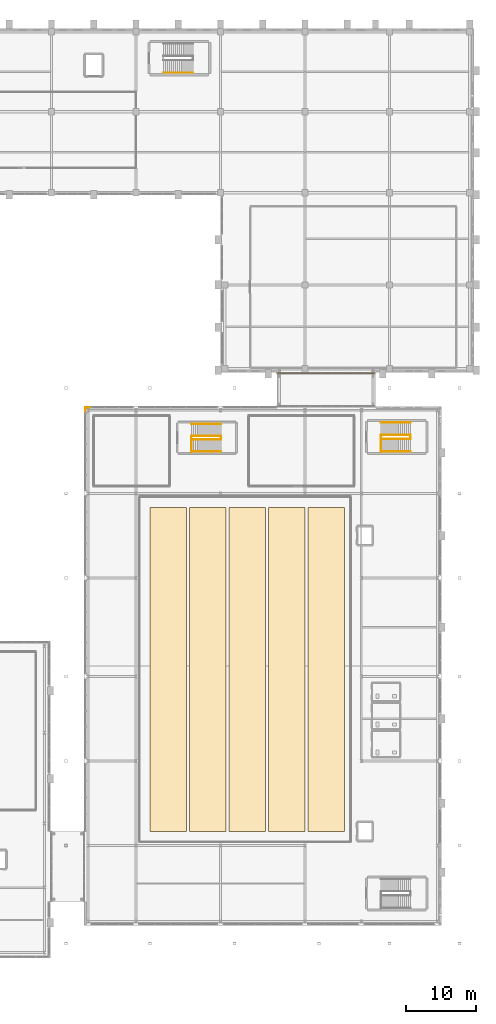
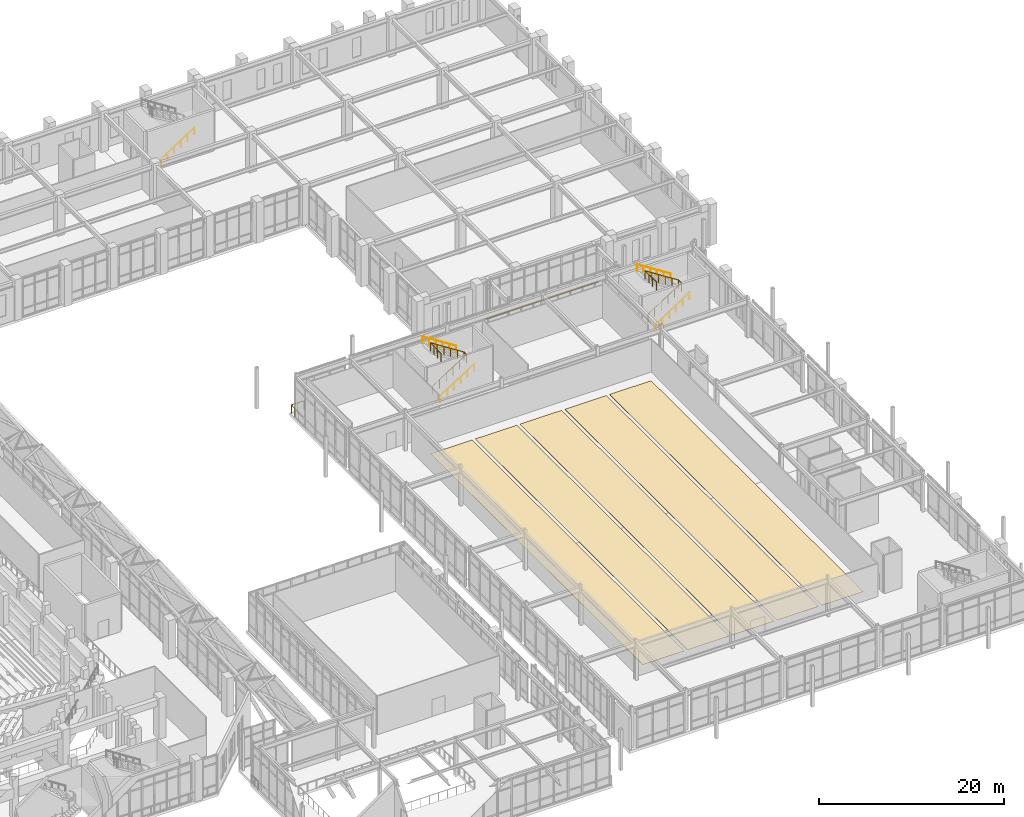
# One storey, part 156 of 159: 10 railings, 6 coverings.
"""IFC4 building model written with IfcOpenShell, lengths in metres."""

from ifc_helpers import new_model, si_unit, derived_unit, direction, frame, origin, origin_2d, place, context, subcontext, project, spatial, polyline, circle, outline, extrude, material, layer, layer_set, type_object, element, save


model = new_model("IFC4")

# Units and contexts
model_context = context("Model", 3, precision=1e-05, world=origin(), true_north=direction((0.0, 1.0)))
body_context = subcontext(model_context, "Body", "Model", "MODEL_VIEW")
ifc_project = project(units=[si_unit("LENGTHUNIT", "METRE"), si_unit("AREAUNIT", "SQUARE_METRE"), si_unit("VOLUMEUNIT", "CUBIC_METRE"), si_unit("PLANEANGLEUNIT", "RADIAN"), si_unit("MASSUNIT", "GRAM", prefix="KILO"), derived_unit("THERMALTRANSMITTANCEUNIT", [(si_unit("MASSUNIT", "GRAM", prefix="KILO"), 1), (si_unit("TIMEUNIT", "SECOND"), -3), (si_unit("THERMODYNAMICTEMPERATUREUNIT", "KELVIN"), -1)])], contexts=[model_context])

# Site, building, storey
site_placement = place(None, origin())
site = spatial("IfcSite", under=ifc_project, at=site_placement, CompositionType="ELEMENT")
building_placement = place(site_placement, origin())
building = spatial("IfcBuilding", under=site, at=building_placement, Name="Valcora Ridge Arena", CompositionType="ELEMENT")
storey_placement = place(building_placement, frame((0.0, 0.0, 6.0)))
storey = spatial("IfcBuildingStorey", under=building, at=storey_placement, Name="L01", CompositionType="ELEMENT", Elevation=6.0)

# Coverings
ifc_material_1 = material(Name="Steel ASTM A572 Grade 50", Category="steel")
ifc_layer_1 = layer(ifc_material_1, 0.02001953125, Name="Steel ASTM A572 Grade 50")
ifc_layer_set_1 = layer_set([ifc_layer_1], Name="Steel ASTM A572 Grade 50")
covering_type_1 = type_object("IfcCoveringType", Name="TY-COVERING-COV-SJ-150", PredefinedType="FLOORING", material=ifc_layer_set_1)
covering_1_placement = place(storey_placement, frame((0.0, 0.0, -0.02001953125)))
element("IfcCovering", 1, at=covering_1_placement, inside=storey, type_object=covering_type_1, Name="COV-SJ-150 COV-SJ-0024", PredefinedType="FLOORING", context=body_context, shape_type="SweptSolid", body=[
    extrude(outline(polyline([(164.0, 83.0), (178.0, 83.0), (178.0, 83.14990234375), (164.0, 83.14990234375), (164.0, 83.0)])), origin(), (0.0, 0.0, 1.0), 0.02001953125),
])
ifc_material_2 = material(Name="FIBA-certified sprung maple hardwood sports floor", Category="wood")
ifc_layer_2 = layer(ifc_material_2, 0.030029296875, Name="FIBA-certified sprung maple hardwood sports floor")
ifc_layer_set_2 = layer_set([ifc_layer_2], Name="FIBA-certified sprung maple hardwood sports floor")
covering_type_2 = type_object("IfcCoveringType", Name="TY-COVERING-FLR-MAPLE-CRT", PredefinedType="FLOORING", material=ifc_layer_set_2)
covering_2_placement = place(storey_placement, origin())
element("IfcCovering", 2, at=covering_2_placement, inside=storey, type_object=covering_type_2, Name="FLR-MAPLE-CRT COV-FL-0002", PredefinedType="FLOORING", context=body_context, shape_type="SweptSolid", body=[
    extrude(outline(polyline([(146.0, 18.0), (151.199951171875, 18.0), (151.199951171875, 64.0), (146.0, 64.0), (146.0, 18.0)])), origin(), (0.0, 0.0, 1.0), 0.030029296875),
])
covering_3_placement = place(storey_placement, origin())
element("IfcCovering", 3, at=covering_3_placement, inside=storey, type_object=covering_type_2, Name="FLR-MAPLE-CRT COV-FL-0003", PredefinedType="FLOORING", context=body_context, shape_type="SweptSolid", body=[
    extrude(outline(polyline([(151.60009765625, 18.0), (156.800048828125, 18.0), (156.800048828125, 64.0), (151.60009765625, 64.0), (151.60009765625, 18.0)])), origin(), (0.0, 0.0, 1.0), 0.030029296875),
])
covering_4_placement = place(storey_placement, origin())
element("IfcCovering", 4, at=covering_4_placement, inside=storey, type_object=covering_type_2, Name="FLR-MAPLE-CRT COV-FL-0004", PredefinedType="FLOORING", context=body_context, shape_type="SweptSolid", body=[
    extrude(outline(polyline([(157.199951171875, 18.0), (162.39990234375, 18.0), (162.39990234375, 64.0), (157.199951171875, 64.0), (157.199951171875, 18.0)])), origin(), (0.0, 0.0, 1.0), 0.030029296875),
])
covering_5_placement = place(storey_placement, origin())
element("IfcCovering", 5, at=covering_5_placement, inside=storey, type_object=covering_type_2, Name="FLR-MAPLE-CRT COV-FL-0005", PredefinedType="FLOORING", context=body_context, shape_type="SweptSolid", body=[
    extrude(outline(polyline([(162.800048828125, 18.0), (168.0, 18.0), (168.0, 64.0), (162.800048828125, 64.0), (162.800048828125, 18.0)])), origin(), (0.0, 0.0, 1.0), 0.030029296875),
])
covering_6_placement = place(storey_placement, origin())
element("IfcCovering", 6, at=covering_6_placement, inside=storey, type_object=covering_type_2, Name="FLR-MAPLE-CRT COV-FL-0006", PredefinedType="FLOORING", context=body_context, shape_type="SweptSolid", body=[
    extrude(outline(polyline([(168.39990234375, 18.0), (173.60009765625, 18.0), (173.60009765625, 64.0), (168.39990234375, 64.0), (168.39990234375, 18.0)])), origin(), (0.0, 0.0, 1.0), 0.030029296875),
])

# Railings
ifc_material_3 = material(Name="Galvanized painted steel ASTM A500 Grade B", Category="steel")
railing_type_1 = type_object("IfcRailingType", Name="TY-RAILING-GRD-STAIR-1120", PredefinedType="GUARDRAIL", material=ifc_material_3)
railing_1_placement = place(storey_placement, frame((178.7900390625, 73.699951171875, 0.0)))
element("IfcRailing", 7, at=railing_1_placement, inside=storey, type_object=railing_type_1, Name="GRD-STAIR-1120 RAL-SG-0095", PredefinedType="GUARDRAIL", context=body_context, shape_type="SweptSolid", body=[
    extrude(circle(Radius=0.02392578125, at=origin_2d()), frame((0.0, 0.0, 1.09619140625), z_axis=(0.841180064094, 0.0, 0.540755119968), x_axis=(0.0, 1.0, 0.0)), (0.0, 0.0, 1.0), 4.992919921875),
    extrude(circle(Radius=0.02392578125, at=origin_2d()), frame((4.199951171875, 0.0, 3.7958984375), z_axis=(0.0, 1.0, 0.0), x_axis=(-1.0, 0.0, 0.0)), (0.0, 0.0, 1.0), 0.60009765625),
    extrude(circle(Radius=0.02392578125, at=origin_2d()), frame((4.199951171875, 0.60009765625, 3.7958984375), z_axis=(-0.841180064094, 0.0, 0.540755119968), x_axis=(0.0, -1.0, 0.0)), (0.0, 0.0, 1.0), 4.992919921875),
    extrude(circle(Radius=0.02099609375, at=origin_2d()), origin(), (0.0, 0.0, 1.0), 1.072021484375),
    extrude(circle(Radius=0.02099609375, at=origin_2d()), frame((0.840087890625, 0.0, 0.5400390625)), (0.0, 0.0, 1.0), 1.072021484375),
    extrude(circle(Radius=0.02099609375, at=origin_2d()), frame((1.679931640625, 0.0, 1.080078125)), (0.0, 0.0, 1.0), 1.072021484375),
    extrude(circle(Radius=0.02099609375, at=origin_2d()), frame((2.52001953125, 0.0, 1.619873046875)), (0.0, 0.0, 1.0), 1.072021484375),
    extrude(circle(Radius=0.02099609375, at=origin_2d()), frame((3.35986328125, 0.0, 2.159912109375)), (0.0, 0.0, 1.0), 1.072021484375),
    extrude(circle(Radius=0.02099609375, at=origin_2d()), frame((4.199951171875, 0.0, 2.699951171875)), (0.0, 0.0, 1.0), 1.072021484375),
    extrude(circle(Radius=0.02099609375, at=origin_2d()), frame((4.199951171875, 0.60009765625, 2.699951171875)), (0.0, 0.0, 1.0), 1.072021484375),
    extrude(circle(Radius=0.02099609375, at=origin_2d()), frame((3.35986328125, 0.60009765625, 3.239990234375)), (0.0, 0.0, 1.0), 1.072021484375),
    extrude(circle(Radius=0.02099609375, at=origin_2d()), frame((2.52001953125, 0.60009765625, 3.780029296875)), (0.0, 0.0, 1.0), 1.072021484375),
    extrude(circle(Radius=0.02099609375, at=origin_2d()), frame((1.679931640625, 0.60009765625, 4.31982421875)), (0.0, 0.0, 1.0), 1.072021484375),
    extrude(circle(Radius=0.02099609375, at=origin_2d()), frame((0.840087890625, 0.60009765625, 4.85986328125)), (0.0, 0.0, 1.0), 1.072021484375),
    extrude(circle(Radius=0.02099609375, at=origin_2d()), frame((0.0, 0.60009765625, 5.39990234375)), (0.0, 0.0, 1.0), 1.072021484375),
])
railing_2_placement = place(storey_placement, frame((178.7900390625, 71.85009765625, 5.39990234375)))
element("IfcRailing", 8, at=railing_2_placement, inside=storey, type_object=railing_type_1, Name="GRD-STAIR-1120 RAL-SG-0096", PredefinedType="GUARDRAIL", context=body_context, shape_type="SweptSolid", body=[
    extrude(circle(Radius=0.02392578125, at=origin_2d()), frame((0.0, 0.0, 1.09619140625), z_axis=(0.0, 1.0, 0.0), x_axis=(-1.0, 0.0, 0.0)), (0.0, 0.0, 1.0), 2.449951171875),
    extrude(circle(Radius=0.02099609375, at=origin_2d()), origin(), (0.0, 0.0, 1.0), 1.072021484375),
    extrude(circle(Radius=0.02099609375, at=origin_2d()), frame((0.0, 0.816650390625, 0.0)), (0.0, 0.0, 1.0), 1.072021484375),
    extrude(circle(Radius=0.02099609375, at=origin_2d()), frame((0.0, 1.63330078125, 0.0)), (0.0, 0.0, 1.0), 1.072021484375),
    extrude(circle(Radius=0.02099609375, at=origin_2d()), frame((0.0, 2.449951171875, 0.0)), (0.0, 0.0, 1.0), 1.072021484375),
])
railing_3_placement = place(storey_placement, frame((151.860107421875, 73.64990234375, 0.0)))
element("IfcRailing", 9, at=railing_3_placement, inside=storey, type_object=railing_type_1, Name="GRD-STAIR-1120 RAL-SG-0171", PredefinedType="GUARDRAIL", context=body_context, shape_type="SweptSolid", body=[
    extrude(circle(Radius=0.02392578125, at=origin_2d()), frame((0.0, 0.0, 1.09619140625), z_axis=(0.841180064094, 0.0, 0.540755119968), x_axis=(0.0, 1.0, 0.0)), (0.0, 0.0, 1.0), 4.992919921875),
    extrude(circle(Radius=0.02392578125, at=origin_2d()), frame((4.199951171875, 0.0, 3.7958984375), z_axis=(0.0, 1.0, 0.0), x_axis=(-1.0, 0.0, 0.0)), (0.0, 0.0, 1.0), 0.5),
    extrude(circle(Radius=0.02392578125, at=origin_2d()), frame((4.199951171875, 0.5, 3.7958984375), z_axis=(-0.841180064094, 0.0, 0.540755119968), x_axis=(0.0, -1.0, 0.0)), (0.0, 0.0, 1.0), 4.992919921875),
    extrude(circle(Radius=0.02099609375, at=origin_2d()), origin(), (0.0, 0.0, 1.0), 1.072021484375),
    extrude(circle(Radius=0.02099609375, at=origin_2d()), frame((0.840087890625, 0.0, 0.5400390625)), (0.0, 0.0, 1.0), 1.072021484375),
    extrude(circle(Radius=0.02099609375, at=origin_2d()), frame((1.679931640625, 0.0, 1.080078125)), (0.0, 0.0, 1.0), 1.072021484375),
    extrude(circle(Radius=0.02099609375, at=origin_2d()), frame((2.52001953125, 0.0, 1.619873046875)), (0.0, 0.0, 1.0), 1.072021484375),
    extrude(circle(Radius=0.02099609375, at=origin_2d()), frame((3.35986328125, 0.0, 2.159912109375)), (0.0, 0.0, 1.0), 1.072021484375),
    extrude(circle(Radius=0.02099609375, at=origin_2d()), frame((4.199951171875, 0.0, 2.699951171875)), (0.0, 0.0, 1.0), 1.072021484375),
    extrude(circle(Radius=0.02099609375, at=origin_2d()), frame((4.199951171875, 0.5, 2.699951171875)), (0.0, 0.0, 1.0), 1.072021484375),
    extrude(circle(Radius=0.02099609375, at=origin_2d()), frame((3.35986328125, 0.5, 3.239990234375)), (0.0, 0.0, 1.0), 1.072021484375),
    extrude(circle(Radius=0.02099609375, at=origin_2d()), frame((2.52001953125, 0.5, 3.780029296875)), (0.0, 0.0, 1.0), 1.072021484375),
    extrude(circle(Radius=0.02099609375, at=origin_2d()), frame((1.679931640625, 0.5, 4.31982421875)), (0.0, 0.0, 1.0), 1.072021484375),
    extrude(circle(Radius=0.02099609375, at=origin_2d()), frame((0.840087890625, 0.5, 4.85986328125)), (0.0, 0.0, 1.0), 1.072021484375),
    extrude(circle(Radius=0.02099609375, at=origin_2d()), frame((0.0, 0.5, 5.39990234375)), (0.0, 0.0, 1.0), 1.072021484375),
])
railing_4_placement = place(storey_placement, frame((151.860107421875, 71.85009765625, 5.39990234375)))
element("IfcRailing", 10, at=railing_4_placement, inside=storey, type_object=railing_type_1, Name="GRD-STAIR-1120 RAL-SG-0172", PredefinedType="GUARDRAIL", context=body_context, shape_type="SweptSolid", body=[
    extrude(circle(Radius=0.02392578125, at=origin_2d()), frame((0.0, 0.0, 1.09619140625), z_axis=(0.0, 1.0, 0.0), x_axis=(-1.0, 0.0, 0.0)), (0.0, 0.0, 1.0), 2.2998046875),
    extrude(circle(Radius=0.02099609375, at=origin_2d()), origin(), (0.0, 0.0, 1.0), 1.072021484375),
    extrude(circle(Radius=0.02099609375, at=origin_2d()), frame((0.0, 0.7666015625, 0.0)), (0.0, 0.0, 1.0), 1.072021484375),
    extrude(circle(Radius=0.02099609375, at=origin_2d()), frame((0.0, 1.533203125, 0.0)), (0.0, 0.0, 1.0), 1.072021484375),
    extrude(circle(Radius=0.02099609375, at=origin_2d()), frame((0.0, 2.2998046875, 0.0)), (0.0, 0.0, 1.0), 1.072021484375),
])
railing_type_2 = type_object("IfcRailingType", Name="TY-RAILING-GRD-VOID-1120", PredefinedType="GUARDRAIL", material=ifc_material_3)
railing_5_placement = place(storey_placement, frame((136.800048828125, 76.60009765625, 0.0)))
element("IfcRailing", 11, at=railing_5_placement, inside=storey, type_object=railing_type_2, Name="GRD-VOID-1120 RAL-DK-0021", PredefinedType="GUARDRAIL", context=body_context, shape_type="SweptSolid", body=[
    extrude(circle(Radius=0.02392578125, at=origin_2d()), frame((0.0, 0.0, 1.09619140625), z_axis=(0.0, 1.0, 0.0), x_axis=(-1.0, 0.0, 0.0)), (0.0, 0.0, 1.0), 1.599853515625),
    extrude(circle(Radius=0.02392578125, at=origin_2d()), frame((0.0, 1.599853515625, 1.09619140625), z_axis=(1.0, 0.0, 0.0), x_axis=(0.0, 1.0, 0.0)), (0.0, 0.0, 1.0), 1.599853515625),
    extrude(circle(Radius=0.02099609375, at=origin_2d()), origin(), (0.0, 0.0, 1.0), 1.072021484375),
    extrude(circle(Radius=0.02099609375, at=origin_2d()), frame((0.0, 0.7998046875, 0.0)), (0.0, 0.0, 1.0), 1.072021484375),
    extrude(circle(Radius=0.02099609375, at=origin_2d()), frame((0.0, 1.599853515625, 0.0)), (0.0, 0.0, 1.0), 1.072021484375),
    extrude(circle(Radius=0.02099609375, at=origin_2d()), frame((0.7998046875, 1.599853515625, 0.0)), (0.0, 0.0, 1.0), 1.072021484375),
    extrude(circle(Radius=0.02099609375, at=origin_2d()), frame((1.599853515625, 1.599853515625, 0.0)), (0.0, 0.0, 1.0), 1.072021484375),
])
railing_type_3 = type_object("IfcRailingType", Name="TY-RAILING-HR-STAIR-900", PredefinedType="HANDRAIL", material=ifc_material_3)
railing_6_placement = place(storey_placement, frame((147.909912109375, 125.739990234375, 0.0)))
element("IfcRailing", 12, at=railing_6_placement, inside=storey, type_object=railing_type_3, Name="HR-STAIR-900 RAL-SH-0085", PredefinedType="HANDRAIL", context=body_context, shape_type="SweptSolid", body=[
    extrude(circle(Radius=0.02392578125, at=origin_2d()), frame((0.0, 0.0, 0.8759765625), z_axis=(0.841194361566, 0.0, 0.540732878665), x_axis=(0.0, 1.0, 0.0)), (0.0, 0.0, 1.0), 4.9931640625),
    extrude(circle(Radius=0.02099609375, at=origin_2d()), origin(), (0.0, 0.0, 1.0), 0.851806640625),
    extrude(circle(Radius=0.02099609375, at=origin_2d()), frame((0.840087890625, 0.0, 0.5400390625)), (0.0, 0.0, 1.0), 0.851806640625),
    extrude(circle(Radius=0.02099609375, at=origin_2d()), frame((1.68017578125, 0.0, 1.080078125)), (0.0, 0.0, 1.0), 0.851806640625),
    extrude(circle(Radius=0.02099609375, at=origin_2d()), frame((2.52001953125, 0.0, 1.619873046875)), (0.0, 0.0, 1.0), 0.851806640625),
    extrude(circle(Radius=0.02099609375, at=origin_2d()), frame((3.360107421875, 0.0, 2.159912109375)), (0.0, 0.0, 1.0), 0.851806640625),
    extrude(circle(Radius=0.02099609375, at=origin_2d()), frame((4.2001953125, 0.0, 2.699951171875)), (0.0, 0.0, 1.0), 0.851806640625),
])
railing_7_placement = place(storey_placement, frame((178.7900390625, 71.93994140625, 0.0)))
element("IfcRailing", 13, at=railing_7_placement, inside=storey, type_object=railing_type_3, Name="HR-STAIR-900 RAL-SH-0095", PredefinedType="HANDRAIL", context=body_context, shape_type="SweptSolid", body=[
    extrude(circle(Radius=0.02392578125, at=origin_2d()), frame((0.0, 0.0, 0.8759765625), z_axis=(0.841180064094, 0.0, 0.540755119968), x_axis=(0.0, 1.0, 0.0)), (0.0, 0.0, 1.0), 4.992919921875),
    extrude(circle(Radius=0.02099609375, at=origin_2d()), origin(), (0.0, 0.0, 1.0), 0.851806640625),
    extrude(circle(Radius=0.02099609375, at=origin_2d()), frame((0.840087890625, 0.0, 0.5400390625)), (0.0, 0.0, 1.0), 0.851806640625),
    extrude(circle(Radius=0.02099609375, at=origin_2d()), frame((1.679931640625, 0.0, 1.080078125)), (0.0, 0.0, 1.0), 0.851806640625),
    extrude(circle(Radius=0.02099609375, at=origin_2d()), frame((2.52001953125, 0.0, 1.619873046875)), (0.0, 0.0, 1.0), 0.851806640625),
    extrude(circle(Radius=0.02099609375, at=origin_2d()), frame((3.35986328125, 0.0, 2.159912109375)), (0.0, 0.0, 1.0), 0.851806640625),
    extrude(circle(Radius=0.02099609375, at=origin_2d()), frame((4.199951171875, 0.0, 2.699951171875)), (0.0, 0.0, 1.0), 0.851806640625),
])
railing_8_placement = place(storey_placement, frame((182.989990234375, 76.06005859375, 2.699951171875)))
element("IfcRailing", 14, at=railing_8_placement, inside=storey, type_object=railing_type_3, Name="HR-STAIR-900 RAL-SH-0096", PredefinedType="HANDRAIL", context=body_context, shape_type="SweptSolid", body=[
    extrude(circle(Radius=0.02392578125, at=origin_2d()), frame((0.0, 0.0, 0.8759765625), z_axis=(-0.841180064094, 0.0, 0.540755119968), x_axis=(0.0, -1.0, 0.0)), (0.0, 0.0, 1.0), 4.992919921875),
    extrude(circle(Radius=0.02099609375, at=origin_2d()), origin(), (0.0, 0.0, 1.0), 0.851806640625),
    extrude(circle(Radius=0.02099609375, at=origin_2d()), frame((-0.840087890625, 0.0, 0.5400390625)), (0.0, 0.0, 1.0), 0.851806640625),
    extrude(circle(Radius=0.02099609375, at=origin_2d()), frame((-1.679931640625, 0.0, 1.080078125)), (0.0, 0.0, 1.0), 0.851806640625),
    extrude(circle(Radius=0.02099609375, at=origin_2d()), frame((-2.52001953125, 0.0, 1.619873046875)), (0.0, 0.0, 1.0), 0.851806640625),
    extrude(circle(Radius=0.02099609375, at=origin_2d()), frame((-3.35986328125, 0.0, 2.159912109375)), (0.0, 0.0, 1.0), 0.851806640625),
    extrude(circle(Radius=0.02099609375, at=origin_2d()), frame((-4.199951171875, 0.0, 2.699951171875)), (0.0, 0.0, 1.0), 0.851806640625),
])
railing_9_placement = place(storey_placement, frame((151.860107421875, 71.93994140625, 0.0)))
element("IfcRailing", 15, at=railing_9_placement, inside=storey, type_object=railing_type_3, Name="HR-STAIR-900 RAL-SH-0171", PredefinedType="HANDRAIL", context=body_context, shape_type="SweptSolid", body=[
    extrude(circle(Radius=0.02392578125, at=origin_2d()), frame((0.0, 0.0, 0.8759765625), z_axis=(0.841180064094, 0.0, 0.540755119968), x_axis=(0.0, 1.0, 0.0)), (0.0, 0.0, 1.0), 4.992919921875),
    extrude(circle(Radius=0.02099609375, at=origin_2d()), origin(), (0.0, 0.0, 1.0), 0.851806640625),
    extrude(circle(Radius=0.02099609375, at=origin_2d()), frame((0.840087890625, 0.0, 0.5400390625)), (0.0, 0.0, 1.0), 0.851806640625),
    extrude(circle(Radius=0.02099609375, at=origin_2d()), frame((1.679931640625, 0.0, 1.080078125)), (0.0, 0.0, 1.0), 0.851806640625),
    extrude(circle(Radius=0.02099609375, at=origin_2d()), frame((2.52001953125, 0.0, 1.619873046875)), (0.0, 0.0, 1.0), 0.851806640625),
    extrude(circle(Radius=0.02099609375, at=origin_2d()), frame((3.35986328125, 0.0, 2.159912109375)), (0.0, 0.0, 1.0), 0.851806640625),
    extrude(circle(Radius=0.02099609375, at=origin_2d()), frame((4.199951171875, 0.0, 2.699951171875)), (0.0, 0.0, 1.0), 0.851806640625),
])
railing_10_placement = place(storey_placement, frame((156.06005859375, 75.860107421875, 2.699951171875)))
element("IfcRailing", 16, at=railing_10_placement, inside=storey, type_object=railing_type_3, Name="HR-STAIR-900 RAL-SH-0172", PredefinedType="HANDRAIL", context=body_context, shape_type="SweptSolid", body=[
    extrude(circle(Radius=0.02392578125, at=origin_2d()), frame((0.0, 0.0, 0.8759765625), z_axis=(-0.841180064094, 0.0, 0.540755119968), x_axis=(0.0, -1.0, 0.0)), (0.0, 0.0, 1.0), 4.992919921875),
    extrude(circle(Radius=0.02099609375, at=origin_2d()), origin(), (0.0, 0.0, 1.0), 0.851806640625),
    extrude(circle(Radius=0.02099609375, at=origin_2d()), frame((-0.840087890625, 0.0, 0.5400390625)), (0.0, 0.0, 1.0), 0.851806640625),
    extrude(circle(Radius=0.02099609375, at=origin_2d()), frame((-1.679931640625, 0.0, 1.080078125)), (0.0, 0.0, 1.0), 0.851806640625),
    extrude(circle(Radius=0.02099609375, at=origin_2d()), frame((-2.52001953125, 0.0, 1.619873046875)), (0.0, 0.0, 1.0), 0.851806640625),
    extrude(circle(Radius=0.02099609375, at=origin_2d()), frame((-3.35986328125, 0.0, 2.159912109375)), (0.0, 0.0, 1.0), 0.851806640625),
    extrude(circle(Radius=0.02099609375, at=origin_2d()), frame((-4.199951171875, 0.0, 2.699951171875)), (0.0, 0.0, 1.0), 0.851806640625),
])

save(model, "model.ifc")
